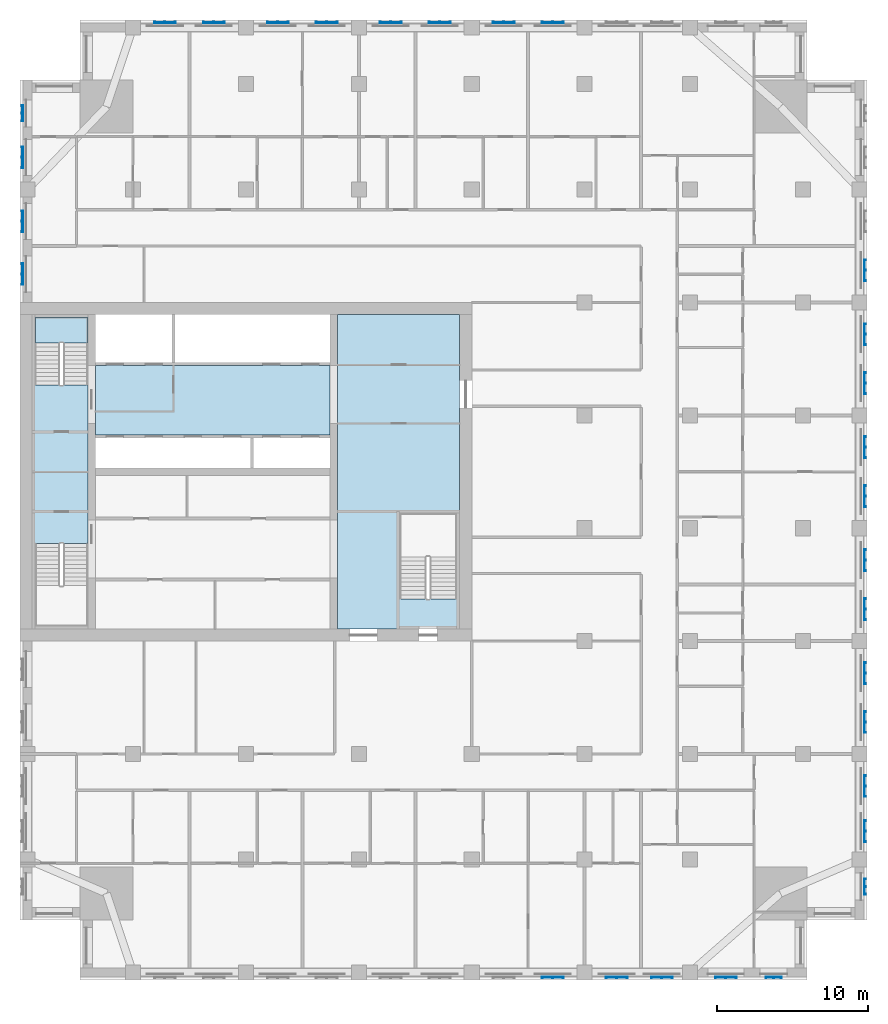
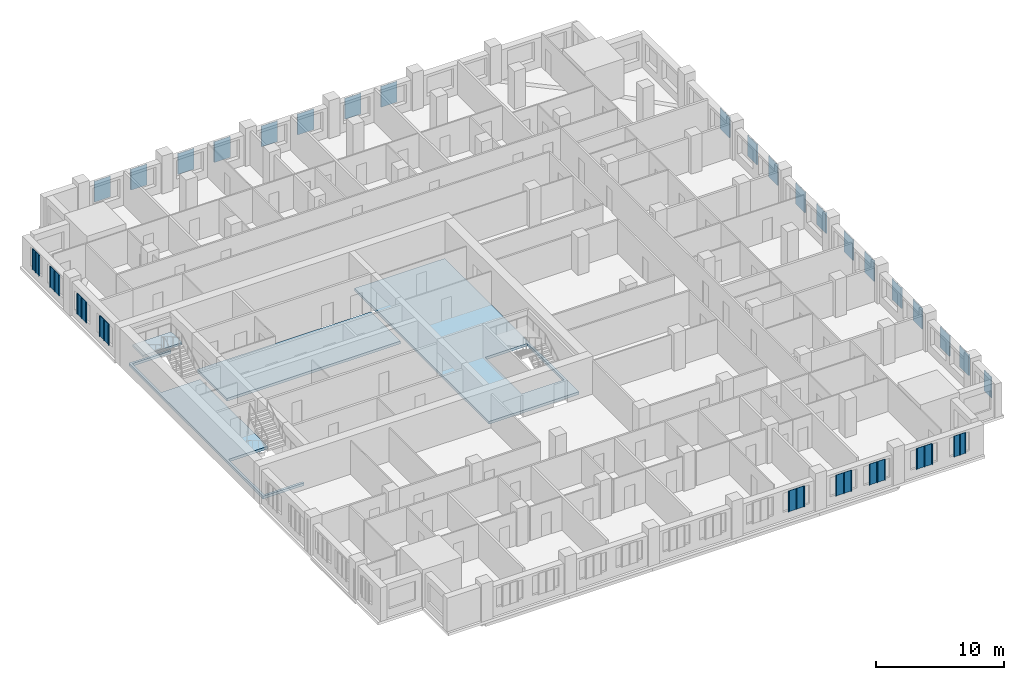
# One storey, part 2 of 14: 29 plates, 4 slabs, 1 element without a shape of its own.
"""IFC4 building model written with IfcOpenShell, lengths in metres."""

import ifcopenshell
import ifcopenshell.guid

model = None  # the IFC model being written
_history = None  # IfcOwnerHistory: only IFC2X3 demands one
_inside = {}  # id of a spatial element -> (the spatial element, [elements in it])
_under = {}  # id of a project, library or spatial element -> (it, [spatial elements below it])
_declared = {}  # id of a project -> (the project, [libraries it declares])
_typed = {}  # id of a type object -> (the type object, [elements of that type])
_made_of = {}  # id of a material, layer set ... -> (it, [elements and type objects made of it])


def new_model(schema):
    """Start an empty IFC model of exactly this schema.

    Asked for "IFC4X3", IfcOpenShell would pick the latest addendum, in which some entities
    have other attributes; the version numbers below select the first issue.
    IFC2X3 requires an IfcOwnerHistory on every rooted entity: one is made here for all.
    """
    global model, _history
    if schema == "IFC4X3":
        model = ifcopenshell.file(schema_version=(4, 3, 0, 0))
    else:
        model = ifcopenshell.file(schema=schema)
    _inside.clear()
    _under.clear()
    _declared.clear()
    _typed.clear()
    _made_of.clear()
    _history = None
    if model.schema == "IFC2X3":
        org = make("IfcOrganization", Name="unknown")
        user = make(
            "IfcPersonAndOrganization",
            ThePerson=make("IfcPerson", FamilyName="unknown"),
            TheOrganization=org,
        )
        app = make(
            "IfcApplication",
            ApplicationDeveloper=org,
            Version="unknown",
            ApplicationFullName="unknown",
            ApplicationIdentifier="unknown",
        )
        _history = make(
            "IfcOwnerHistory",
            OwningUser=user,
            OwningApplication=app,
            ChangeAction="ADDED",
            CreationDate=0,
        )
    return model


def make(cls, **values):
    """One entity of the class cls with the attributes given. An attribute that is None is left unset."""
    return model.create_entity(
        cls, **{name: value for name, value in values.items() if value is not None}
    )


def rooted(cls, **values):
    """An entity with a GlobalId (a new one), such as an element, a storey or a relation."""
    return make(cls, GlobalId=ifcopenshell.guid.new(), OwnerHistory=_history, **values)


def si_unit(unit_type, name, prefix=None):
    """IfcSIUnit, for example si_unit("LENGTHUNIT", "METRE", prefix="MILLI")."""
    return make("IfcSIUnit", UnitType=unit_type, Prefix=prefix, Name=name)


def assignment(units):
    """IfcUnitAssignment: the units of a project."""
    return None if units is None else make("IfcUnitAssignment", Units=units)


def point(xyz):
    """IfcCartesianPoint."""
    return None if xyz is None else make("IfcCartesianPoint", Coordinates=xyz)


def direction(xyz):
    """IfcDirection."""
    return None if xyz is None else make("IfcDirection", DirectionRatios=xyz)


def frame(location, z_axis=None, x_axis=None):
    """IfcAxis2Placement3D, a coordinate frame: its origin and axes. An axis left out is left unset."""
    return make(
        "IfcAxis2Placement3D",
        Location=point(location),
        Axis=direction(z_axis),
        RefDirection=direction(x_axis),
    )


def origin():
    """The frame at (0, 0, 0) with its axes left unset."""
    return frame((0.0, 0.0, 0.0))


def place(relative_to, where):
    """IfcLocalPlacement: puts the frame where relative to a parent placement (None: the world)."""
    return make(
        "IfcLocalPlacement", PlacementRelTo=relative_to, RelativePlacement=where
    )


def context(
    kind, dimensions, precision=None, world=None, true_north=None, identifier=None
):
    """IfcGeometricRepresentationContext, for example the 3D "Model" context."""
    return make(
        "IfcGeometricRepresentationContext",
        ContextIdentifier=identifier,
        ContextType=kind,
        CoordinateSpaceDimension=dimensions,
        Precision=precision,
        WorldCoordinateSystem=world,
        TrueNorth=true_north,
    )


def subcontext(parent, identifier, kind, view, scale=None):
    """IfcGeometricRepresentationSubContext, for example "Body" below "Model"."""
    return make(
        "IfcGeometricRepresentationSubContext",
        ContextIdentifier=identifier,
        ContextType=kind,
        ParentContext=parent,
        TargetScale=scale,
        TargetView=view,
    )


def project(units=None, contexts=None):
    """IfcProject with its units and contexts."""
    return rooted(
        "IfcProject",
        Name="project",
        RepresentationContexts=contexts,
        UnitsInContext=assignment(units),
    )


def spatial(cls, under=None, at=None, **own):
    """A site, building, storey or space (cls), placed at a placement, below another one or the project."""
    s = rooted(cls, ObjectPlacement=at, **own)
    if under is not None:
        _under.setdefault(under.id(), (under, []))[1].append(s)
    return s


def polyline(points):
    """IfcPolyline through the points."""
    return make("IfcPolyline", Points=[point(p) for p in points])


def outline(outer, holes=None, kind="AREA"):
    """IfcArbitraryClosedProfileDef: a profile drawn as a closed curve; with holes, ...WithVoids."""
    if holes is None:
        return make("IfcArbitraryClosedProfileDef", ProfileType=kind, OuterCurve=outer)
    return make(
        "IfcArbitraryProfileDefWithVoids",
        ProfileType=kind,
        OuterCurve=outer,
        InnerCurves=holes,
    )


def extrude(swept, where, along, depth):
    """IfcExtrudedAreaSolid: the profile swept, set in the frame where, extruded along a direction by depth."""
    return make(
        "IfcExtrudedAreaSolid",
        SweptArea=swept,
        Position=where,
        ExtrudedDirection=direction(along),
        Depth=depth,
    )


def shape(context_of_items, identifier, shape_type, items):
    """IfcShapeRepresentation: the items that make up one representation, for example the "Body"."""
    return make(
        "IfcShapeRepresentation",
        ContextOfItems=context_of_items,
        RepresentationIdentifier=identifier,
        RepresentationType=shape_type,
        Items=items,
    )


def material(Name=None, Category=None):
    """IfcMaterial."""
    return make("IfcMaterial", Name=Name, Category=Category)


def layer(
    of_material, thickness, ventilated=None, Name=None, Category=None, Priority=None
):
    """IfcMaterialLayer: one layer of a wall or slab, of a material (None: an air gap)."""
    return make(
        "IfcMaterialLayer",
        Material=of_material,
        LayerThickness=thickness,
        IsVentilated=ventilated,
        Name=Name,
        Category=Category,
        Priority=Priority,
    )


def layer_set(layers, Name=None):
    """IfcMaterialLayerSet."""
    return make("IfcMaterialLayerSet", MaterialLayers=layers, LayerSetName=Name)


def made_of(thing, what):
    """Note that an element or type object is made of a material, layer set ...; save() writes the relation."""
    if what is not None:
        _made_of.setdefault(what.id(), (what, []))[1].append(thing)
    return thing


def type_object(cls, material=None, **own):
    """A type object (cls), such as IfcWallType, which elements share."""
    return made_of(rooted(cls, **own), material)


def element(
    cls,
    number,
    at=None,
    inside=None,
    cuts=None,
    type_object=None,
    material=None,
    context=None,
    identifier="Body",
    shape_type=None,
    held_by="IfcProductDefinitionShape",
    body=None,
    shapes=None,
    **own,
):
    """One element of the class cls, such as IfcWall. Its Tag is "e" and its number.

    at: its placement. inside: the storey or other place that contains it. cuts: it is an
    opening in that element (IfcRelVoidsElement). A single representation is given by context,
    identifier, shape_type and body (its items); several are given by shapes. held_by: the class
    of the entity that holds the representations. save() writes the other relations.
    """
    e = rooted(cls, Tag="e%d" % number, ObjectPlacement=at, **own)
    if body is not None:
        shapes = [shape(context, identifier, shape_type, body)]
    if shapes is not None:
        e.Representation = make(held_by, Representations=shapes)
    if inside is not None:
        _inside.setdefault(inside.id(), (inside, []))[1].append(e)
    if cuts is not None:
        rooted(
            "IfcRelVoidsElement", RelatingBuildingElement=cuts, RelatedOpeningElement=e
        )
    if type_object is not None:
        _typed.setdefault(type_object.id(), (type_object, []))[1].append(e)
    return made_of(e, material)


def aggregate(whole, parts):
    """IfcRelAggregates: a whole, such as a stair, and the parts it consists of."""
    return rooted("IfcRelAggregates", RelatingObject=whole, RelatedObjects=parts)


def save(model, path):
    """Write the relations noted so far, then the file.

    IfcRelAggregates (storeys below a building ...), IfcRelContainedInSpatialStructure (elements
    in a storey), IfcRelDefinesByType, IfcRelAssociatesMaterial and IfcRelDeclares: one each for
    every whole, place, type object, material and project.
    """
    for whole, parts in _under.values():
        aggregate(whole, parts)
    for where, things in _inside.values():
        rooted(
            "IfcRelContainedInSpatialStructure",
            RelatedElements=things,
            RelatingStructure=where,
        )
    for kind, things in _typed.values():
        rooted("IfcRelDefinesByType", RelatedObjects=things, RelatingType=kind)
    for what, things in _made_of.values():
        rooted("IfcRelAssociatesMaterial", RelatedObjects=things, RelatingMaterial=what)
    for by, libraries in _declared.values():
        rooted("IfcRelDeclares", RelatingContext=by, RelatedDefinitions=libraries)
    model.write(path)


model = new_model("IFC4")

# Units and contexts
model_context = context("Model", 3, precision=1e-05, world=origin(), true_north=direction((0.0, 1.0)))
body_context = subcontext(model_context, "Body", "Model", "MODEL_VIEW")
ifc_project = project(units=[si_unit("LENGTHUNIT", "METRE"), si_unit("AREAUNIT", "SQUARE_METRE"), si_unit("VOLUMEUNIT", "CUBIC_METRE"), si_unit("PLANEANGLEUNIT", "RADIAN"), si_unit("MASSUNIT", "GRAM", prefix="KILO")], contexts=[model_context])

# Site, building, storey
site_placement = place(None, origin())
site = spatial("IfcSite", under=ifc_project, at=site_placement, CompositionType="ELEMENT")
building_placement = place(site_placement, origin())
building = spatial("IfcBuilding", under=site, at=building_placement, Name="Tamorin Gate", CompositionType="ELEMENT")
storey_placement = place(building_placement, frame((0.0, 0.0, 162.60009765625)))
storey = spatial("IfcBuildingStorey", under=building, at=storey_placement, Name="L40", CompositionType="ELEMENT", Elevation=162.60009765625)

# Slabs
ifc_material_1 = material(Name="Concrete C40/50", Category="concrete")
ifc_layer_1 = layer(ifc_material_1, 0.25)
ifc_layer_set_1 = layer_set([ifc_layer_1], Name="Core floor slab 250 C40/50")
slab_type_1 = type_object("IfcSlabType", Name="Core floor slab 250 C40/50", PredefinedType="FLOOR", material=ifc_layer_set_1)
slab_1_placement = place(storey_placement, frame((0.0, 0.0, -0.25)))
element("IfcSlab", 1, at=slab_1_placement, inside=storey, type_object=slab_type_1, Name="Core floor L40", PredefinedType="FLOOR", context=body_context, shape_type="SweptSolid", body=[
    extrude(outline(polyline([(51.10009765625, 81.699951171875), (59.199951171875, 81.699951171875), (59.199951171875, 60.800048828125), (51.10009765625, 60.800048828125), (51.10009765625, 81.699951171875)]), holes=[polyline([(55.199951171875, 62.800048828125), (59.0, 62.800048828125), (59.0, 68.5), (55.199951171875, 68.5), (55.199951171875, 62.800048828125)])]), origin(), (0.0, 0.0, 1.0), 0.25),
])
slab_2_placement = place(storey_placement, frame((0.0, 0.0, -0.25)))
element("IfcSlab", 2, at=slab_2_placement, inside=storey, type_object=slab_type_1, Name="Core floor L40", PredefinedType="FLOOR", context=body_context, shape_type="SweptSolid", body=[
    extrude(outline(polyline([(50.60009765625, 73.699951171875), (35.0, 73.699951171875), (35.0, 78.300048828125), (50.60009765625, 78.300048828125), (50.60009765625, 73.699951171875)])), origin(), (0.0, 0.0, 1.0), 0.25),
])
slab_3_placement = place(storey_placement, frame((0.0, 0.0, -0.25)))
element("IfcSlab", 3, at=slab_3_placement, inside=storey, type_object=slab_type_1, Name="Core floor L40", PredefinedType="FLOOR", context=body_context, shape_type="SweptSolid", body=[
    extrude(outline(polyline([(34.5, 60.800048828125), (30.800048828125, 60.800048828125), (30.800048828125, 81.699951171875), (34.5, 81.699951171875), (34.5, 81.5), (31.0, 81.5), (31.0, 77.0), (34.5, 77.0), (34.5, 66.5), (31.0, 66.5), (31.0, 61.0), (34.5, 61.0), (34.5, 60.800048828125)])), origin(), (0.0, 0.0, 1.0), 0.25),
])

# Stair, slab
stair_type = type_object("IfcStairType", Name="Exit stair", PredefinedType="HALF_TURN_STAIR", material=ifc_material_1)
stair_placement = place(storey_placement, origin())
stair = element("IfcStair", 4, at=stair_placement, inside=storey, type_object=stair_type, Name="L40 stair ST2", PredefinedType="HALF_TURN_STAIR")
ifc_layer_2 = layer(ifc_material_1, 0.199951171875)
ifc_layer_set_2 = layer_set([ifc_layer_2], Name="Exit stair landing 200")
slab_type_2 = type_object("IfcSlabType", Name="Exit stair landing 200", PredefinedType="LANDING", material=ifc_layer_set_2)
slab_4_placement = place(storey_placement, frame((0.0, 0.0, 1.599853515625)))
slab_4 = element("IfcSlab", 5, at=slab_4_placement, type_object=slab_type_2, Name="ST2 landing 1", PredefinedType="LANDING", context=body_context, shape_type="SweptSolid", body=[
    extrude(outline(polyline([(34.5, 79.800048828125), (34.5, 81.5), (31.0, 81.5), (31.0, 79.800048828125), (34.5, 79.800048828125)])), origin(), (0.0, 0.0, 1.0), 0.199951171875),
])
aggregate(stair, [slab_4])

# Plates
ifc_material_2 = material(Name="Perforated pale aluminium sheet", Category="aluminium")
ifc_layer_3 = layer(ifc_material_2, 0.0400390625)
ifc_layer_set_3 = layer_set([ifc_layer_3], Name="Pale metal solar screen 1080")
plate_type_1 = type_object("IfcPlateType", Name="Pale metal solar screen 1080", PredefinedType="SHEET", material=ifc_layer_set_3)
plate_1_placement = place(storey_placement, frame((0.0, 0.0, 0.7099609375)))
element("IfcPlate", 6, at=plate_1_placement, inside=storey, type_object=plate_type_1, Name="Perforated solar screen", PredefinedType="SHEET", context=body_context, shape_type="SweptSolid", body=[
    extrude(outline(polyline([(79.510009765625, 37.659912109375), (79.510009765625, 37.699951171875), (79.570068359375, 37.699951171875), (80.02001953125, 37.699951171875), (80.080078125, 37.699951171875), (80.530029296875, 37.699951171875), (80.590087890625, 37.699951171875), (80.590087890625, 37.659912109375), (80.590087890625, 37.60009765625), (80.530029296875, 37.60009765625), (80.530029296875, 37.659912109375), (80.080078125, 37.659912109375), (80.080078125, 37.60009765625), (80.02001953125, 37.60009765625), (80.02001953125, 37.659912109375), (79.570068359375, 37.659912109375), (79.570068359375, 37.60009765625), (79.510009765625, 37.60009765625), (79.510009765625, 37.659912109375)])), origin(), (0.0, 0.0, 1.0), 1.97998046875),
])
plate_2_placement = place(storey_placement, frame((0.0, 0.0, 0.7099609375)))
element("IfcPlate", 7, at=plate_2_placement, inside=storey, type_object=plate_type_1, Name="Perforated solar screen", PredefinedType="SHEET", context=body_context, shape_type="SweptSolid", body=[
    extrude(outline(polyline([(86.090087890625, 43.159912109375), (86.050048828125, 43.159912109375), (86.050048828125, 43.219970703125), (86.050048828125, 43.669921875), (86.050048828125, 43.72998046875), (86.050048828125, 44.179931640625), (86.050048828125, 44.239990234375), (86.090087890625, 44.239990234375), (86.14990234375, 44.239990234375), (86.14990234375, 44.179931640625), (86.090087890625, 44.179931640625), (86.090087890625, 43.72998046875), (86.14990234375, 43.72998046875), (86.14990234375, 43.669921875), (86.090087890625, 43.669921875), (86.090087890625, 43.219970703125), (86.14990234375, 43.219970703125), (86.14990234375, 43.159912109375), (86.090087890625, 43.159912109375)])), origin(), (0.0, 0.0, 1.0), 1.97998046875),
])
plate_3_placement = place(storey_placement, frame((0.0, 0.0, 0.7099609375)))
element("IfcPlate", 8, at=plate_3_placement, inside=storey, type_object=plate_type_1, Name="Perforated solar screen", PredefinedType="SHEET", context=body_context, shape_type="SweptSolid", body=[
    extrude(outline(polyline([(30.159912109375, 95.590087890625), (30.199951171875, 95.590087890625), (30.199951171875, 95.530029296875), (30.199951171875, 95.080078125), (30.199951171875, 95.02001953125), (30.199951171875, 94.570068359375), (30.199951171875, 94.510009765625), (30.159912109375, 94.510009765625), (30.10009765625, 94.510009765625), (30.10009765625, 94.570068359375), (30.159912109375, 94.570068359375), (30.159912109375, 95.02001953125), (30.10009765625, 95.02001953125), (30.10009765625, 95.080078125), (30.159912109375, 95.080078125), (30.159912109375, 95.530029296875), (30.10009765625, 95.530029296875), (30.10009765625, 95.590087890625), (30.159912109375, 95.590087890625)])), origin(), (0.0, 0.0, 1.0), 1.97998046875),
])
ifc_layer_4 = layer(ifc_material_2, 0.0400390625)
ifc_layer_set_4 = layer_set([ifc_layer_4], Name="Pale metal solar screen 1440")
plate_type_2 = type_object("IfcPlateType", Name="Pale metal solar screen 1440", PredefinedType="SHEET", material=ifc_layer_set_4)
plate_4_placement = place(storey_placement, frame((0.0, 0.0, 0.7099609375)))
element("IfcPlate", 9, at=plate_4_placement, inside=storey, type_object=plate_type_2, Name="Perforated solar screen", PredefinedType="SHEET", context=body_context, shape_type="SweptSolid", body=[
    extrude(outline(polyline([(64.655029296875, 37.659912109375), (64.655029296875, 37.699951171875), (64.715087890625, 37.699951171875), (65.344970703125, 37.699951171875), (65.405029296875, 37.699951171875), (66.034912109375, 37.699951171875), (66.094970703125, 37.699951171875), (66.094970703125, 37.659912109375), (66.094970703125, 37.60009765625), (66.034912109375, 37.60009765625), (66.034912109375, 37.659912109375), (65.405029296875, 37.659912109375), (65.405029296875, 37.60009765625), (65.344970703125, 37.60009765625), (65.344970703125, 37.659912109375), (64.715087890625, 37.659912109375), (64.715087890625, 37.60009765625), (64.655029296875, 37.60009765625), (64.655029296875, 37.659912109375)])), origin(), (0.0, 0.0, 1.0), 1.97998046875),
])
plate_5_placement = place(storey_placement, frame((0.0, 0.0, 0.7099609375)))
element("IfcPlate", 10, at=plate_5_placement, inside=storey, type_object=plate_type_2, Name="Perforated solar screen", PredefinedType="SHEET", context=body_context, shape_type="SweptSolid", body=[
    extrude(outline(polyline([(68.905029296875, 37.659912109375), (68.905029296875, 37.699951171875), (68.965087890625, 37.699951171875), (69.594970703125, 37.699951171875), (69.655029296875, 37.699951171875), (70.284912109375, 37.699951171875), (70.344970703125, 37.699951171875), (70.344970703125, 37.659912109375), (70.344970703125, 37.60009765625), (70.284912109375, 37.60009765625), (70.284912109375, 37.659912109375), (69.655029296875, 37.659912109375), (69.655029296875, 37.60009765625), (69.594970703125, 37.60009765625), (69.594970703125, 37.659912109375), (68.965087890625, 37.659912109375), (68.965087890625, 37.60009765625), (68.905029296875, 37.60009765625), (68.905029296875, 37.659912109375)])), origin(), (0.0, 0.0, 1.0), 1.97998046875),
])
plate_6_placement = place(storey_placement, frame((0.0, 0.0, 0.7099609375)))
element("IfcPlate", 11, at=plate_6_placement, inside=storey, type_object=plate_type_2, Name="Perforated solar screen", PredefinedType="SHEET", context=body_context, shape_type="SweptSolid", body=[
    extrude(outline(polyline([(71.905029296875, 37.659912109375), (71.905029296875, 37.699951171875), (71.965087890625, 37.699951171875), (72.594970703125, 37.699951171875), (72.655029296875, 37.699951171875), (73.284912109375, 37.699951171875), (73.344970703125, 37.699951171875), (73.344970703125, 37.659912109375), (73.344970703125, 37.60009765625), (73.284912109375, 37.60009765625), (73.284912109375, 37.659912109375), (72.655029296875, 37.659912109375), (72.655029296875, 37.60009765625), (72.594970703125, 37.60009765625), (72.594970703125, 37.659912109375), (71.965087890625, 37.659912109375), (71.965087890625, 37.60009765625), (71.905029296875, 37.60009765625), (71.905029296875, 37.659912109375)])), origin(), (0.0, 0.0, 1.0), 1.97998046875),
])
plate_7_placement = place(storey_placement, frame((0.0, 0.0, 0.7099609375)))
element("IfcPlate", 12, at=plate_7_placement, inside=storey, type_object=plate_type_2, Name="Perforated solar screen", PredefinedType="SHEET", context=body_context, shape_type="SweptSolid", body=[
    extrude(outline(polyline([(76.155029296875, 37.659912109375), (76.155029296875, 37.699951171875), (76.215087890625, 37.699951171875), (76.844970703125, 37.699951171875), (76.905029296875, 37.699951171875), (77.534912109375, 37.699951171875), (77.594970703125, 37.699951171875), (77.594970703125, 37.659912109375), (77.594970703125, 37.60009765625), (77.534912109375, 37.60009765625), (77.534912109375, 37.659912109375), (76.905029296875, 37.659912109375), (76.905029296875, 37.60009765625), (76.844970703125, 37.60009765625), (76.844970703125, 37.659912109375), (76.215087890625, 37.659912109375), (76.215087890625, 37.60009765625), (76.155029296875, 37.60009765625), (76.155029296875, 37.659912109375)])), origin(), (0.0, 0.0, 1.0), 1.97998046875),
])
plate_8_placement = place(storey_placement, frame((0.0, 0.0, 0.7099609375)))
element("IfcPlate", 13, at=plate_8_placement, inside=storey, type_object=plate_type_2, Name="Perforated solar screen", PredefinedType="SHEET", context=body_context, shape_type="SweptSolid", body=[
    extrude(outline(polyline([(86.090087890625, 46.655029296875), (86.050048828125, 46.655029296875), (86.050048828125, 46.715087890625), (86.050048828125, 47.344970703125), (86.050048828125, 47.405029296875), (86.050048828125, 48.034912109375), (86.050048828125, 48.094970703125), (86.050048828125, 48.094970703125), (86.090087890625, 48.094970703125), (86.090087890625, 48.094970703125), (86.14990234375, 48.094970703125), (86.14990234375, 48.034912109375), (86.090087890625, 48.034912109375), (86.090087890625, 47.405029296875), (86.14990234375, 47.405029296875), (86.14990234375, 47.344970703125), (86.090087890625, 47.344970703125), (86.090087890625, 46.715087890625), (86.14990234375, 46.715087890625), (86.14990234375, 46.655029296875), (86.090087890625, 46.655029296875)])), origin(), (0.0, 0.0, 1.0), 1.97998046875),
])
plate_9_placement = place(storey_placement, frame((0.0, 0.0, 0.7099609375)))
element("IfcPlate", 14, at=plate_9_placement, inside=storey, type_object=plate_type_2, Name="Perforated solar screen", PredefinedType="SHEET", context=body_context, shape_type="SweptSolid", body=[
    extrude(outline(polyline([(86.090087890625, 49.655029296875), (86.050048828125, 49.655029296875), (86.050048828125, 49.715087890625), (86.050048828125, 50.344970703125), (86.050048828125, 50.405029296875), (86.050048828125, 51.034912109375), (86.050048828125, 51.094970703125), (86.090087890625, 51.094970703125), (86.14990234375, 51.094970703125), (86.14990234375, 51.034912109375), (86.090087890625, 51.034912109375), (86.090087890625, 50.405029296875), (86.14990234375, 50.405029296875), (86.14990234375, 50.344970703125), (86.090087890625, 50.344970703125), (86.090087890625, 49.715087890625), (86.14990234375, 49.715087890625), (86.14990234375, 49.655029296875), (86.090087890625, 49.655029296875)])), origin(), (0.0, 0.0, 1.0), 1.97998046875),
])
plate_10_placement = place(storey_placement, frame((0.0, 0.0, 0.7099609375)))
element("IfcPlate", 15, at=plate_10_placement, inside=storey, type_object=plate_type_2, Name="Perforated solar screen", PredefinedType="SHEET", context=body_context, shape_type="SweptSolid", body=[
    extrude(outline(polyline([(86.090087890625, 53.905029296875), (86.050048828125, 53.905029296875), (86.050048828125, 53.965087890625), (86.050048828125, 54.594970703125), (86.050048828125, 54.655029296875), (86.050048828125, 55.284912109375), (86.050048828125, 55.344970703125), (86.090087890625, 55.344970703125), (86.14990234375, 55.344970703125), (86.14990234375, 55.284912109375), (86.090087890625, 55.284912109375), (86.090087890625, 54.655029296875), (86.14990234375, 54.655029296875), (86.14990234375, 54.594970703125), (86.090087890625, 54.594970703125), (86.090087890625, 53.965087890625), (86.14990234375, 53.965087890625), (86.14990234375, 53.905029296875), (86.090087890625, 53.905029296875)])), origin(), (0.0, 0.0, 1.0), 1.97998046875),
])
plate_11_placement = place(storey_placement, frame((0.0, 0.0, 0.7099609375)))
element("IfcPlate", 16, at=plate_11_placement, inside=storey, type_object=plate_type_2, Name="Perforated solar screen", PredefinedType="SHEET", context=body_context, shape_type="SweptSolid", body=[
    extrude(outline(polyline([(86.090087890625, 57.155029296875), (86.050048828125, 57.155029296875), (86.050048828125, 57.215087890625), (86.050048828125, 57.844970703125), (86.050048828125, 57.905029296875), (86.050048828125, 58.534912109375), (86.050048828125, 58.594970703125), (86.090087890625, 58.594970703125), (86.14990234375, 58.594970703125), (86.14990234375, 58.534912109375), (86.090087890625, 58.534912109375), (86.090087890625, 57.905029296875), (86.14990234375, 57.905029296875), (86.14990234375, 57.844970703125), (86.090087890625, 57.844970703125), (86.090087890625, 57.215087890625), (86.14990234375, 57.215087890625), (86.14990234375, 57.155029296875), (86.090087890625, 57.155029296875)])), origin(), (0.0, 0.0, 1.0), 1.97998046875),
])
plate_12_placement = place(storey_placement, frame((0.0, 0.0, 0.7099609375)))
element("IfcPlate", 17, at=plate_12_placement, inside=storey, type_object=plate_type_2, Name="Perforated solar screen", PredefinedType="SHEET", context=body_context, shape_type="SweptSolid", body=[
    extrude(outline(polyline([(86.090087890625, 61.405029296875), (86.050048828125, 61.405029296875), (86.050048828125, 61.465087890625), (86.050048828125, 62.094970703125), (86.050048828125, 62.155029296875), (86.050048828125, 62.784912109375), (86.050048828125, 62.844970703125), (86.090087890625, 62.844970703125), (86.14990234375, 62.844970703125), (86.14990234375, 62.784912109375), (86.090087890625, 62.784912109375), (86.090087890625, 62.155029296875), (86.14990234375, 62.155029296875), (86.14990234375, 62.094970703125), (86.090087890625, 62.094970703125), (86.090087890625, 61.465087890625), (86.14990234375, 61.465087890625), (86.14990234375, 61.405029296875), (86.090087890625, 61.405029296875)])), origin(), (0.0, 0.0, 1.0), 1.97998046875),
])
plate_13_placement = place(storey_placement, frame((0.0, 0.0, 0.7099609375)))
element("IfcPlate", 18, at=plate_13_placement, inside=storey, type_object=plate_type_2, Name="Perforated solar screen", PredefinedType="SHEET", context=body_context, shape_type="SweptSolid", body=[
    extrude(outline(polyline([(86.090087890625, 64.655029296875), (86.050048828125, 64.655029296875), (86.050048828125, 64.715087890625), (86.050048828125, 65.344970703125), (86.050048828125, 65.405029296875), (86.050048828125, 66.034912109375), (86.050048828125, 66.094970703125), (86.090087890625, 66.094970703125), (86.14990234375, 66.094970703125), (86.14990234375, 66.034912109375), (86.090087890625, 66.034912109375), (86.090087890625, 65.405029296875), (86.14990234375, 65.405029296875), (86.14990234375, 65.344970703125), (86.090087890625, 65.344970703125), (86.090087890625, 64.715087890625), (86.14990234375, 64.715087890625), (86.14990234375, 64.655029296875), (86.090087890625, 64.655029296875)])), origin(), (0.0, 0.0, 1.0), 1.97998046875),
])
plate_14_placement = place(storey_placement, frame((0.0, 0.0, 0.7099609375)))
element("IfcPlate", 19, at=plate_14_placement, inside=storey, type_object=plate_type_2, Name="Perforated solar screen", PredefinedType="SHEET", context=body_context, shape_type="SweptSolid", body=[
    extrude(outline(polyline([(86.090087890625, 68.905029296875), (86.050048828125, 68.905029296875), (86.050048828125, 68.965087890625), (86.050048828125, 69.594970703125), (86.050048828125, 69.655029296875), (86.050048828125, 70.284912109375), (86.050048828125, 70.344970703125), (86.090087890625, 70.344970703125), (86.14990234375, 70.344970703125), (86.14990234375, 70.284912109375), (86.090087890625, 70.284912109375), (86.090087890625, 69.655029296875), (86.14990234375, 69.655029296875), (86.14990234375, 69.594970703125), (86.090087890625, 69.594970703125), (86.090087890625, 68.965087890625), (86.14990234375, 68.965087890625), (86.14990234375, 68.905029296875), (86.090087890625, 68.905029296875)])), origin(), (0.0, 0.0, 1.0), 1.97998046875),
])
plate_15_placement = place(storey_placement, frame((0.0, 0.0, 0.7099609375)))
element("IfcPlate", 20, at=plate_15_placement, inside=storey, type_object=plate_type_2, Name="Perforated solar screen", PredefinedType="SHEET", context=body_context, shape_type="SweptSolid", body=[
    extrude(outline(polyline([(86.090087890625, 72.155029296875), (86.050048828125, 72.155029296875), (86.050048828125, 72.215087890625), (86.050048828125, 72.844970703125), (86.050048828125, 72.905029296875), (86.050048828125, 73.534912109375), (86.050048828125, 73.594970703125), (86.090087890625, 73.594970703125), (86.14990234375, 73.594970703125), (86.14990234375, 73.534912109375), (86.090087890625, 73.534912109375), (86.090087890625, 72.905029296875), (86.14990234375, 72.905029296875), (86.14990234375, 72.844970703125), (86.090087890625, 72.844970703125), (86.090087890625, 72.215087890625), (86.14990234375, 72.215087890625), (86.14990234375, 72.155029296875), (86.090087890625, 72.155029296875)])), origin(), (0.0, 0.0, 1.0), 1.97998046875),
])
plate_16_placement = place(storey_placement, frame((0.0, 0.0, 0.7099609375)))
element("IfcPlate", 21, at=plate_16_placement, inside=storey, type_object=plate_type_2, Name="Perforated solar screen", PredefinedType="SHEET", context=body_context, shape_type="SweptSolid", body=[
    extrude(outline(polyline([(86.090087890625, 76.405029296875), (86.050048828125, 76.405029296875), (86.050048828125, 76.465087890625), (86.050048828125, 77.094970703125), (86.050048828125, 77.155029296875), (86.050048828125, 77.784912109375), (86.050048828125, 77.844970703125), (86.090087890625, 77.844970703125), (86.14990234375, 77.844970703125), (86.14990234375, 77.784912109375), (86.090087890625, 77.784912109375), (86.090087890625, 77.155029296875), (86.14990234375, 77.155029296875), (86.14990234375, 77.094970703125), (86.090087890625, 77.094970703125), (86.090087890625, 76.465087890625), (86.14990234375, 76.465087890625), (86.14990234375, 76.405029296875), (86.090087890625, 76.405029296875)])), origin(), (0.0, 0.0, 1.0), 1.97998046875),
])
plate_17_placement = place(storey_placement, frame((0.0, 0.0, 0.7099609375)))
element("IfcPlate", 22, at=plate_17_placement, inside=storey, type_object=plate_type_2, Name="Perforated solar screen", PredefinedType="SHEET", context=body_context, shape_type="SweptSolid", body=[
    extrude(outline(polyline([(86.090087890625, 79.655029296875), (86.050048828125, 79.655029296875), (86.050048828125, 79.715087890625), (86.050048828125, 80.344970703125), (86.050048828125, 80.405029296875), (86.050048828125, 81.034912109375), (86.050048828125, 81.094970703125), (86.090087890625, 81.094970703125), (86.14990234375, 81.094970703125), (86.14990234375, 81.034912109375), (86.090087890625, 81.034912109375), (86.090087890625, 80.405029296875), (86.14990234375, 80.405029296875), (86.14990234375, 80.344970703125), (86.090087890625, 80.344970703125), (86.090087890625, 79.715087890625), (86.14990234375, 79.715087890625), (86.14990234375, 79.655029296875), (86.090087890625, 79.655029296875)])), origin(), (0.0, 0.0, 1.0), 1.97998046875),
])
plate_18_placement = place(storey_placement, frame((0.0, 0.0, 0.7099609375)))
element("IfcPlate", 23, at=plate_18_placement, inside=storey, type_object=plate_type_2, Name="Perforated solar screen", PredefinedType="SHEET", context=body_context, shape_type="SweptSolid", body=[
    extrude(outline(polyline([(86.090087890625, 83.905029296875), (86.050048828125, 83.905029296875), (86.050048828125, 83.965087890625), (86.050048828125, 84.594970703125), (86.050048828125, 84.655029296875), (86.050048828125, 85.284912109375), (86.050048828125, 85.344970703125), (86.090087890625, 85.344970703125), (86.14990234375, 85.344970703125), (86.14990234375, 85.284912109375), (86.090087890625, 85.284912109375), (86.090087890625, 84.655029296875), (86.14990234375, 84.655029296875), (86.14990234375, 84.594970703125), (86.090087890625, 84.594970703125), (86.090087890625, 83.965087890625), (86.14990234375, 83.965087890625), (86.14990234375, 83.905029296875), (86.090087890625, 83.905029296875)])), origin(), (0.0, 0.0, 1.0), 1.97998046875),
])
plate_19_placement = place(storey_placement, frame((0.0, 0.0, 0.7099609375)))
element("IfcPlate", 24, at=plate_19_placement, inside=storey, type_object=plate_type_2, Name="Perforated solar screen", PredefinedType="SHEET", context=body_context, shape_type="SweptSolid", body=[
    extrude(outline(polyline([(62.844970703125, 101.090087890625), (62.844970703125, 101.050048828125), (62.784912109375, 101.050048828125), (62.155029296875, 101.050048828125), (62.094970703125, 101.050048828125), (61.465087890625, 101.050048828125), (61.405029296875, 101.050048828125), (61.405029296875, 101.090087890625), (61.405029296875, 101.14990234375), (61.465087890625, 101.14990234375), (61.465087890625, 101.090087890625), (62.094970703125, 101.090087890625), (62.094970703125, 101.14990234375), (62.155029296875, 101.14990234375), (62.155029296875, 101.090087890625), (62.784912109375, 101.090087890625), (62.784912109375, 101.14990234375), (62.844970703125, 101.14990234375), (62.844970703125, 101.090087890625)])), origin(), (0.0, 0.0, 1.0), 1.97998046875),
])
plate_20_placement = place(storey_placement, frame((0.0, 0.0, 0.7099609375)))
element("IfcPlate", 25, at=plate_20_placement, inside=storey, type_object=plate_type_2, Name="Perforated solar screen", PredefinedType="SHEET", context=body_context, shape_type="SweptSolid", body=[
    extrude(outline(polyline([(66.094970703125, 101.090087890625), (66.094970703125, 101.050048828125), (66.034912109375, 101.050048828125), (65.405029296875, 101.050048828125), (65.344970703125, 101.050048828125), (64.715087890625, 101.050048828125), (64.655029296875, 101.050048828125), (64.655029296875, 101.090087890625), (64.655029296875, 101.14990234375), (64.715087890625, 101.14990234375), (64.715087890625, 101.090087890625), (65.344970703125, 101.090087890625), (65.344970703125, 101.14990234375), (65.405029296875, 101.14990234375), (65.405029296875, 101.090087890625), (66.034912109375, 101.090087890625), (66.034912109375, 101.14990234375), (66.094970703125, 101.14990234375), (66.094970703125, 101.090087890625)])), origin(), (0.0, 0.0, 1.0), 1.97998046875),
])
plate_21_placement = place(storey_placement, frame((0.0, 0.0, 0.7099609375)))
element("IfcPlate", 26, at=plate_21_placement, inside=storey, type_object=plate_type_2, Name="Perforated solar screen", PredefinedType="SHEET", context=body_context, shape_type="SweptSolid", body=[
    extrude(outline(polyline([(55.344970703125, 101.090087890625), (55.344970703125, 101.050048828125), (55.284912109375, 101.050048828125), (54.655029296875, 101.050048828125), (54.594970703125, 101.050048828125), (53.965087890625, 101.050048828125), (53.905029296875, 101.050048828125), (53.905029296875, 101.090087890625), (53.905029296875, 101.14990234375), (53.965087890625, 101.14990234375), (53.965087890625, 101.090087890625), (54.594970703125, 101.090087890625), (54.594970703125, 101.14990234375), (54.655029296875, 101.14990234375), (54.655029296875, 101.090087890625), (55.284912109375, 101.090087890625), (55.284912109375, 101.14990234375), (55.344970703125, 101.14990234375), (55.344970703125, 101.090087890625)])), origin(), (0.0, 0.0, 1.0), 1.97998046875),
])
plate_22_placement = place(storey_placement, frame((0.0, 0.0, 0.7099609375)))
element("IfcPlate", 27, at=plate_22_placement, inside=storey, type_object=plate_type_2, Name="Perforated solar screen", PredefinedType="SHEET", context=body_context, shape_type="SweptSolid", body=[
    extrude(outline(polyline([(58.594970703125, 101.090087890625), (58.594970703125, 101.050048828125), (58.534912109375, 101.050048828125), (57.905029296875, 101.050048828125), (57.844970703125, 101.050048828125), (57.215087890625, 101.050048828125), (57.155029296875, 101.050048828125), (57.155029296875, 101.090087890625), (57.155029296875, 101.14990234375), (57.215087890625, 101.14990234375), (57.215087890625, 101.090087890625), (57.844970703125, 101.090087890625), (57.844970703125, 101.14990234375), (57.905029296875, 101.14990234375), (57.905029296875, 101.090087890625), (58.534912109375, 101.090087890625), (58.534912109375, 101.14990234375), (58.594970703125, 101.14990234375), (58.594970703125, 101.090087890625)])), origin(), (0.0, 0.0, 1.0), 1.97998046875),
])
plate_23_placement = place(storey_placement, frame((0.0, 0.0, 0.7099609375)))
element("IfcPlate", 28, at=plate_23_placement, inside=storey, type_object=plate_type_2, Name="Perforated solar screen", PredefinedType="SHEET", context=body_context, shape_type="SweptSolid", body=[
    extrude(outline(polyline([(47.844970703125, 101.090087890625), (47.844970703125, 101.050048828125), (47.784912109375, 101.050048828125), (47.155029296875, 101.050048828125), (47.094970703125, 101.050048828125), (46.465087890625, 101.050048828125), (46.405029296875, 101.050048828125), (46.405029296875, 101.090087890625), (46.405029296875, 101.14990234375), (46.465087890625, 101.14990234375), (46.465087890625, 101.090087890625), (47.094970703125, 101.090087890625), (47.094970703125, 101.14990234375), (47.155029296875, 101.14990234375), (47.155029296875, 101.090087890625), (47.784912109375, 101.090087890625), (47.784912109375, 101.14990234375), (47.844970703125, 101.14990234375), (47.844970703125, 101.090087890625)])), origin(), (0.0, 0.0, 1.0), 1.97998046875),
])
plate_24_placement = place(storey_placement, frame((0.0, 0.0, 0.7099609375)))
element("IfcPlate", 29, at=plate_24_placement, inside=storey, type_object=plate_type_2, Name="Perforated solar screen", PredefinedType="SHEET", context=body_context, shape_type="SweptSolid", body=[
    extrude(outline(polyline([(51.094970703125, 101.090087890625), (51.094970703125, 101.050048828125), (51.034912109375, 101.050048828125), (50.405029296875, 101.050048828125), (50.344970703125, 101.050048828125), (49.715087890625, 101.050048828125), (49.655029296875, 101.050048828125), (49.655029296875, 101.090087890625), (49.655029296875, 101.14990234375), (49.715087890625, 101.14990234375), (49.715087890625, 101.090087890625), (50.344970703125, 101.090087890625), (50.344970703125, 101.14990234375), (50.405029296875, 101.14990234375), (50.405029296875, 101.090087890625), (51.034912109375, 101.090087890625), (51.034912109375, 101.14990234375), (51.094970703125, 101.14990234375), (51.094970703125, 101.090087890625)])), origin(), (0.0, 0.0, 1.0), 1.97998046875),
])
plate_25_placement = place(storey_placement, frame((0.0, 0.0, 0.7099609375)))
element("IfcPlate", 30, at=plate_25_placement, inside=storey, type_object=plate_type_2, Name="Perforated solar screen", PredefinedType="SHEET", context=body_context, shape_type="SweptSolid", body=[
    extrude(outline(polyline([(40.344970703125, 101.090087890625), (40.344970703125, 101.050048828125), (40.284912109375, 101.050048828125), (39.655029296875, 101.050048828125), (39.594970703125, 101.050048828125), (38.965087890625, 101.050048828125), (38.905029296875, 101.050048828125), (38.905029296875, 101.090087890625), (38.905029296875, 101.14990234375), (38.965087890625, 101.14990234375), (38.965087890625, 101.090087890625), (39.594970703125, 101.090087890625), (39.594970703125, 101.14990234375), (39.655029296875, 101.14990234375), (39.655029296875, 101.090087890625), (40.284912109375, 101.090087890625), (40.284912109375, 101.14990234375), (40.344970703125, 101.14990234375), (40.344970703125, 101.090087890625)])), origin(), (0.0, 0.0, 1.0), 1.97998046875),
])
plate_26_placement = place(storey_placement, frame((0.0, 0.0, 0.7099609375)))
element("IfcPlate", 31, at=plate_26_placement, inside=storey, type_object=plate_type_2, Name="Perforated solar screen", PredefinedType="SHEET", context=body_context, shape_type="SweptSolid", body=[
    extrude(outline(polyline([(43.594970703125, 101.090087890625), (43.594970703125, 101.050048828125), (43.534912109375, 101.050048828125), (42.905029296875, 101.050048828125), (42.844970703125, 101.050048828125), (42.215087890625, 101.050048828125), (42.155029296875, 101.050048828125), (42.155029296875, 101.090087890625), (42.155029296875, 101.14990234375), (42.215087890625, 101.14990234375), (42.215087890625, 101.090087890625), (42.844970703125, 101.090087890625), (42.844970703125, 101.14990234375), (42.905029296875, 101.14990234375), (42.905029296875, 101.090087890625), (43.534912109375, 101.090087890625), (43.534912109375, 101.14990234375), (43.594970703125, 101.14990234375), (43.594970703125, 101.090087890625)])), origin(), (0.0, 0.0, 1.0), 1.97998046875),
])
plate_27_placement = place(storey_placement, frame((0.0, 0.0, 0.7099609375)))
element("IfcPlate", 32, at=plate_27_placement, inside=storey, type_object=plate_type_2, Name="Perforated solar screen", PredefinedType="SHEET", context=body_context, shape_type="SweptSolid", body=[
    extrude(outline(polyline([(30.159912109375, 92.844970703125), (30.199951171875, 92.844970703125), (30.199951171875, 92.784912109375), (30.199951171875, 92.155029296875), (30.199951171875, 92.094970703125), (30.199951171875, 91.465087890625), (30.199951171875, 91.405029296875), (30.199951171875, 91.405029296875), (30.159912109375, 91.405029296875), (30.159912109375, 91.405029296875), (30.10009765625, 91.405029296875), (30.10009765625, 91.465087890625), (30.159912109375, 91.465087890625), (30.159912109375, 92.094970703125), (30.10009765625, 92.094970703125), (30.10009765625, 92.155029296875), (30.159912109375, 92.155029296875), (30.159912109375, 92.784912109375), (30.10009765625, 92.784912109375), (30.10009765625, 92.844970703125), (30.159912109375, 92.844970703125)])), origin(), (0.0, 0.0, 1.0), 1.97998046875),
])
plate_28_placement = place(storey_placement, frame((0.0, 0.0, 0.7099609375)))
element("IfcPlate", 33, at=plate_28_placement, inside=storey, type_object=plate_type_2, Name="Perforated solar screen", PredefinedType="SHEET", context=body_context, shape_type="SweptSolid", body=[
    extrude(outline(polyline([(30.159912109375, 85.094970703125), (30.199951171875, 85.094970703125), (30.199951171875, 85.034912109375), (30.199951171875, 84.405029296875), (30.199951171875, 84.344970703125), (30.199951171875, 83.715087890625), (30.199951171875, 83.655029296875), (30.159912109375, 83.655029296875), (30.10009765625, 83.655029296875), (30.10009765625, 83.715087890625), (30.159912109375, 83.715087890625), (30.159912109375, 84.344970703125), (30.10009765625, 84.344970703125), (30.10009765625, 84.405029296875), (30.159912109375, 84.405029296875), (30.159912109375, 85.034912109375), (30.10009765625, 85.034912109375), (30.10009765625, 85.094970703125), (30.159912109375, 85.094970703125)])), origin(), (0.0, 0.0, 1.0), 1.97998046875),
])
plate_29_placement = place(storey_placement, frame((0.0, 0.0, 0.7099609375)))
element("IfcPlate", 34, at=plate_29_placement, inside=storey, type_object=plate_type_2, Name="Perforated solar screen", PredefinedType="SHEET", context=body_context, shape_type="SweptSolid", body=[
    extrude(outline(polyline([(30.159912109375, 88.594970703125), (30.199951171875, 88.594970703125), (30.199951171875, 88.534912109375), (30.199951171875, 87.905029296875), (30.199951171875, 87.844970703125), (30.199951171875, 87.215087890625), (30.199951171875, 87.155029296875), (30.159912109375, 87.155029296875), (30.10009765625, 87.155029296875), (30.10009765625, 87.215087890625), (30.159912109375, 87.215087890625), (30.159912109375, 87.844970703125), (30.10009765625, 87.844970703125), (30.10009765625, 87.905029296875), (30.159912109375, 87.905029296875), (30.159912109375, 88.534912109375), (30.10009765625, 88.534912109375), (30.10009765625, 88.594970703125), (30.159912109375, 88.594970703125)])), origin(), (0.0, 0.0, 1.0), 1.97998046875),
])

save(model, "model.ifc")
